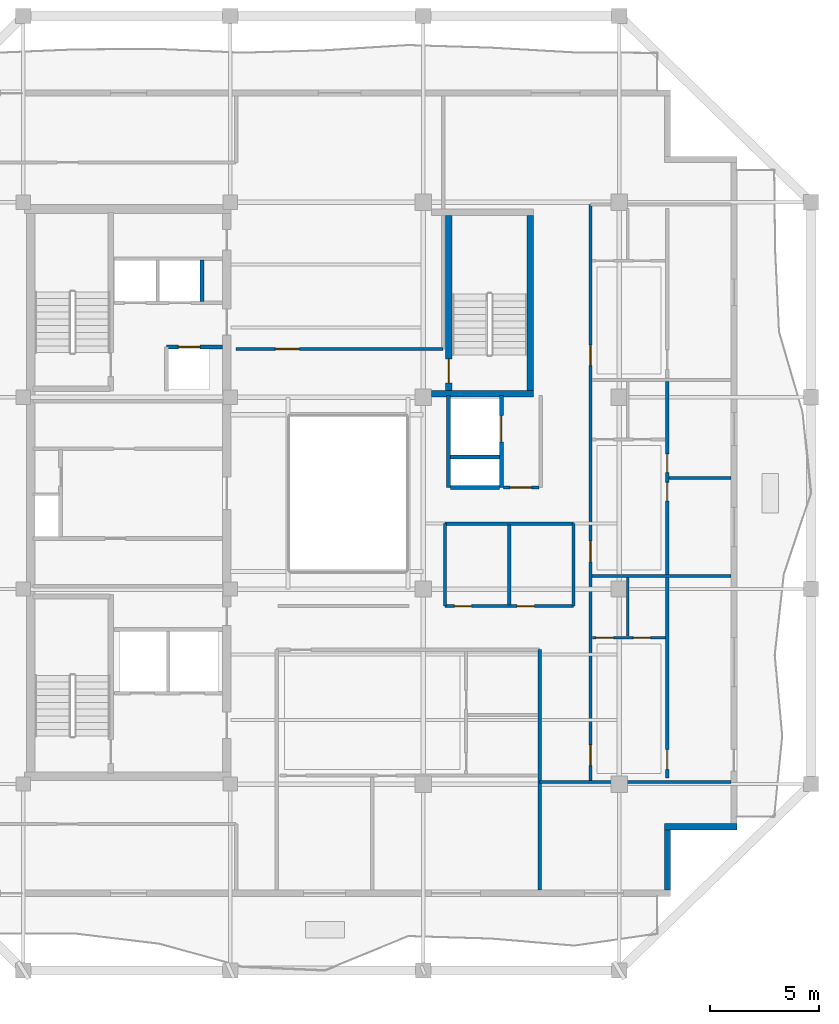
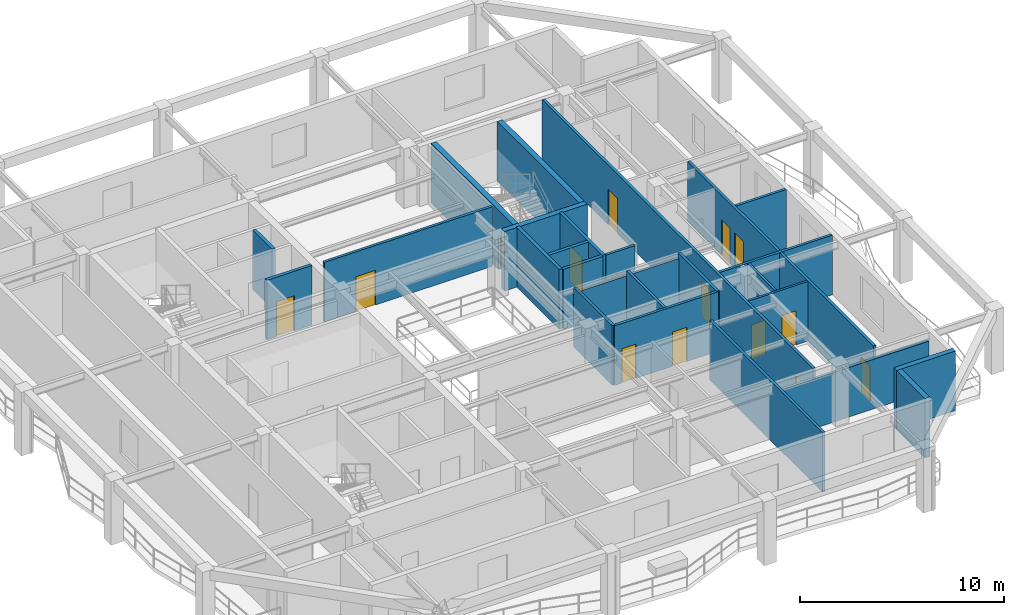
# One storey, part 4 of 10: 27 walls, 15 doors, 15 openings.
"""IFC4 building model written with IfcOpenShell, lengths in metres."""

from ifc_helpers import new_model, si_unit, direction, frame, frame_2d, origin, place, context, subcontext, project, spatial, rectangle, extrude, material, layer, layer_set, type_object, element, fill, save


model = new_model("IFC4")

# Units and contexts
model_context = context("Model", 3, precision=1e-05, world=origin(), true_north=direction((0.0, 1.0)))
body_context = subcontext(model_context, "Body", "Model", "MODEL_VIEW")
ifc_project = project(units=[si_unit("LENGTHUNIT", "METRE"), si_unit("AREAUNIT", "SQUARE_METRE"), si_unit("VOLUMEUNIT", "CUBIC_METRE"), si_unit("PLANEANGLEUNIT", "RADIAN"), si_unit("MASSUNIT", "GRAM", prefix="KILO")], contexts=[model_context])

# Site, building, storey
site_placement = place(None, origin())
site = spatial("IfcSite", under=ifc_project, at=site_placement, CompositionType="ELEMENT")
building_placement = place(site_placement, origin())
building = spatial("IfcBuilding", under=site, at=building_placement, Name="Kundavana Baori Tower", CompositionType="ELEMENT")
storey_placement = place(building_placement, frame((0.0, 0.0, 316.300048828125)))
storey = spatial("IfcBuildingStorey", under=building, at=storey_placement, Name="L78", CompositionType="ELEMENT", Elevation=316.300048828125)

# Walls
ifc_material_1 = material(Name="Red-Buff Dholpur Sandstone Cladding on Concrete C40/50", Category="masonry")
ifc_layer_1 = layer(ifc_material_1, 0.280029296875, Name="WL-EXT-SAND-280")
ifc_layer_set_1 = layer_set([ifc_layer_1], Name="Red-Buff Dholpur Sandstone Cladding on Concrete C40/50")
wall_type_1 = type_object("IfcWallType", Name="WL-EXT-SAND-280", PredefinedType="STANDARD", material=ifc_layer_set_1)
wall_1_placement = place(storey_placement, frame((45.010009765625, 10.3798828125, 0.0), z_axis=(0.0, 0.0, 1.0), x_axis=(0.0, 1.0, 0.0)))
element("IfcWall", 1, at=wall_1_placement, inside=storey, type_object=wall_type_1, Name="L78 Exterior Insulated Facade Wall 02", PredefinedType="STANDARD", context=body_context, shape_type="SweptSolid", body=[
    extrude(rectangle(XDim=2.77001953125, YDim=0.280029296875, at=frame_2d((1.385009765625, 0.0))), origin(), (0.0, 0.0, 1.0), 3.56005859375),
])
wall_2_placement = place(storey_placement, frame((44.8701171875, 13.2900390625, 0.0), z_axis=(0.0, 0.0, 1.0), x_axis=(1.0, 0.0, 0.0)))
element("IfcWall", 2, at=wall_2_placement, inside=storey, type_object=wall_type_1, Name="L78 Exterior Insulated Facade Wall 03", PredefinedType="STANDARD", context=body_context, shape_type="SweptSolid", body=[
    extrude(rectangle(XDim=3.329833984375, YDim=0.280029296875, at=frame_2d((1.6650390625, 0.0))), origin(), (0.0, 0.0, 1.0), 3.56005859375),
])

# Wall, opening, door
ifc_material_2 = material(Name="Fire-Rated Gypsum Drywall on Galvanised Steel Studs", Category="steel")
ifc_layer_2 = layer(ifc_material_2, 0.14990234375, Name="WL-PART-150")
ifc_layer_set_2 = layer_set([ifc_layer_2], Name="Fire-Rated Gypsum Drywall on Galvanised Steel Studs")
wall_type_2 = type_object("IfcWallType", Name="WL-PART-150", PredefinedType="PARTITIONING", material=ifc_layer_set_2)
wall_3_placement = place(storey_placement, frame((37.47998046875, 28.860107421875, 0.0), z_axis=(0.0, 0.0, 1.0), x_axis=(1.0, 0.0, 0.0)))
wall_3 = element("IfcWall", 3, at=wall_3_placement, inside=storey, type_object=wall_type_2, Name="WL-L78-SVLOB-S", PredefinedType="PARTITIONING", context=body_context, shape_type="SweptSolid", body=[
    extrude(rectangle(XDim=1.64013671875, YDim=0.14990234375, at=frame_2d((0.820068359375, 0.0))), origin(), (0.0, 0.0, 1.0), 3.56005859375),
])
opening_1_placement = place(wall_3_placement, frame((0.300048828125, 0.0, 0.0)))
opening_1 = element("IfcOpeningElement", 4, at=opening_1_placement, cuts=wall_3, Name="Opening FD-100", PredefinedType="OPENING", context=body_context, shape_type="SweptSolid", body=[
    extrude(rectangle(XDim=1.0, YDim=2.10009765625, at=frame_2d((0.5, 1.050048828125))), frame((0.0, 0.0849609375, 0.0), z_axis=(0.0, -1.0, 0.0), x_axis=(1.0, 0.0, 0.0)), (0.0, 0.0, 1.0), 0.169921875),
])
ifc_material_3 = material(Name="Engineered Teak Fire-Rated Timber Door Leaf", Category="wood")
door_type_1 = type_object("IfcDoorType", Name="DR-FD60-1000", OperationType="NOTDEFINED", PredefinedType="DOOR", material=ifc_material_3)
door_1_placement = place(opening_1_placement, origin())
door_1 = element("IfcDoor", 5, at=door_1_placement, inside=storey, type_object=door_type_1, Name="DR-L78-SVLOB-OUT", OperationType="SINGLE_SWING_LEFT", OverallHeight=2.10009765625, OverallWidth=1.0, PredefinedType="DOOR", context=body_context, shape_type="SweptSolid", body=[
    extrude(rectangle(XDim=1.0, YDim=2.10009765625, at=frame_2d((0.5, 1.050048828125))), frame((0.0, 0.02490234375, 0.0), z_axis=(0.0, -1.0, 0.0), x_axis=(1.0, 0.0, 0.0)), (0.0, 0.0, 1.0), 0.050048828125),
])
fill(opening_1, door_1)

wall_4_placement = place(storey_placement, frame((25.219970703125, 35.219970703125, 0.0), z_axis=(0.0, 0.0, 1.0), x_axis=(1.0, 0.0, 0.0)))
wall_4 = element("IfcWall", 6, at=wall_4_placement, inside=storey, type_object=wall_type_2, Name="WL-L78-RN", PredefinedType="PARTITIONING", context=body_context, shape_type="SweptSolid", body=[
    extrude(rectangle(XDim=9.5, YDim=0.14990234375, at=frame_2d((4.75, 0.0))), origin(), (0.0, 0.0, 1.0), 3.56005859375),
])
opening_2_placement = place(wall_4_placement, frame((1.800048828125, 0.0, 0.0)))
opening_2 = element("IfcOpeningElement", 7, at=opening_2_placement, cuts=wall_4, Name="Opening ID-110", PredefinedType="OPENING", context=body_context, shape_type="SweptSolid", body=[
    extrude(rectangle(XDim=1.10009765625, YDim=2.080078125, at=frame_2d((0.550048828125, 1.0400390625))), frame((0.0, 0.0849609375, 0.0), z_axis=(0.0, -1.0, 0.0), x_axis=(1.0, 0.0, 0.0)), (0.0, 0.0, 1.0), 0.169921875),
])
ifc_material_4 = material(Name="Engineered Teak Solid-Core Timber Veneer", Category="wood")
door_type_2 = type_object("IfcDoorType", Name="DR-INT-1100", OperationType="NOTDEFINED", PredefinedType="DOOR", material=ifc_material_4)
door_2_placement = place(opening_2_placement, origin())
door_2 = element("IfcDoor", 8, at=door_2_placement, inside=storey, type_object=door_type_2, Name="DR-L78-RLNGN", OperationType="SINGLE_SWING_RIGHT", OverallHeight=2.080078125, OverallWidth=1.10009765625, PredefinedType="DOOR", context=body_context, shape_type="SweptSolid", body=[
    extrude(rectangle(XDim=1.10009765625, YDim=2.080078125, at=frame_2d((0.550048828125, 1.0400390625))), frame((0.0, 0.02490234375, 0.0), z_axis=(0.0, -1.0, 0.0), x_axis=(1.0, 0.0, 0.0)), (0.0, 0.0, 1.0), 0.050048828125),
])
fill(opening_2, door_2)

# Wall
wall_5_placement = place(storey_placement, frame((39.14990234375, 10.3798828125, 0.0), z_axis=(0.0, 0.0, 1.0), x_axis=(0.0, 1.0, 0.0)))
element("IfcWall", 9, at=wall_5_placement, inside=storey, type_object=wall_type_2, Name="WL-L78-RSEND", PredefinedType="PARTITIONING", context=body_context, shape_type="SweptSolid", body=[
    extrude(rectangle(XDim=11.0400390625, YDim=0.14990234375, at=frame_2d((5.52001953125, 0.0))), origin(), (0.0, 0.0, 1.0), 3.56005859375),
])

# Wall, openings, doors
wall_6_placement = place(storey_placement, frame((41.47998046875, 15.35009765625, 0.0), z_axis=(0.0, 0.0, 1.0), x_axis=(0.0, 1.0, 0.0)))
wall_6 = element("IfcWall", 10, at=wall_6_placement, inside=storey, type_object=wall_type_2, Name="WL-L78-RE", PredefinedType="PARTITIONING", context=body_context, shape_type="SweptSolid", body=[
    extrude(rectangle(XDim=26.5, YDim=0.14990234375, at=frame_2d((13.25, 0.0))), origin(), (0.0, 0.0, 1.0), 3.56005859375),
])
opening_3_placement = place(wall_6_placement, frame((0.75, 0.0, 0.0)))
opening_3 = element("IfcOpeningElement", 11, at=opening_3_placement, cuts=wall_6, Name="Opening FD-095", PredefinedType="OPENING", context=body_context, shape_type="SweptSolid", body=[
    extrude(rectangle(XDim=0.949951171875, YDim=2.10009765625, at=frame_2d((0.47509765625, 1.050048828125))), frame((0.0, 0.0849609375, 0.0), z_axis=(0.0, -1.0, 0.0), x_axis=(1.0, 0.0, 0.0)), (0.0, 0.0, 1.0), 0.169921875),
])
opening_4_placement = place(wall_6_placement, frame((10.10009765625, 0.0, 0.0)))
opening_4 = element("IfcOpeningElement", 12, at=opening_4_placement, cuts=wall_6, Name="Opening FD-095", PredefinedType="OPENING", context=body_context, shape_type="SweptSolid", body=[
    extrude(rectangle(XDim=0.949951171875, YDim=2.10009765625, at=frame_2d((0.47509765625, 1.050048828125))), frame((0.0, 0.0849609375, 0.0), z_axis=(0.0, -1.0, 0.0), x_axis=(1.0, 0.0, 0.0)), (0.0, 0.0, 1.0), 0.169921875),
])
opening_5_placement = place(wall_6_placement, frame((19.10009765625, 0.0, 0.0)))
opening_5 = element("IfcOpeningElement", 13, at=opening_5_placement, cuts=wall_6, Name="Opening FD-095", PredefinedType="OPENING", context=body_context, shape_type="SweptSolid", body=[
    extrude(rectangle(XDim=0.949951171875, YDim=2.10009765625, at=frame_2d((0.47509765625, 1.050048828125))), frame((0.0, 0.0849609375, 0.0), z_axis=(0.0, -1.0, 0.0), x_axis=(1.0, 0.0, 0.0)), (0.0, 0.0, 1.0), 0.169921875),
])
ifc_material_5 = material(Name="Engineered Teak Fire-Rated Timber Door Leaf", Category="wood")
door_type_3 = type_object("IfcDoorType", Name="DR-FD60-950", OperationType="NOTDEFINED", PredefinedType="DOOR", material=ifc_material_5)
door_3_placement = place(opening_3_placement, origin())
door_3 = element("IfcDoor", 14, at=door_3_placement, inside=storey, type_object=door_type_3, Name="DR-L78-E1-ENT", OperationType="SINGLE_SWING_LEFT", OverallHeight=2.10009765625, OverallWidth=0.949951171875, PredefinedType="DOOR", context=body_context, shape_type="SweptSolid", body=[
    extrude(rectangle(XDim=0.949951171875, YDim=2.10009765625, at=frame_2d((0.47509765625, 1.050048828125))), frame((0.0, 0.02490234375, 0.0), z_axis=(0.0, -1.0, 0.0), x_axis=(1.0, 0.0, 0.0)), (0.0, 0.0, 1.0), 0.050048828125),
])
fill(opening_3, door_3)
door_4_placement = place(opening_4_placement, origin())
door_4 = element("IfcDoor", 15, at=door_4_placement, inside=storey, type_object=door_type_3, Name="DR-L78-E2-ENT", OperationType="SINGLE_SWING_LEFT", OverallHeight=2.10009765625, OverallWidth=0.949951171875, PredefinedType="DOOR", context=body_context, shape_type="SweptSolid", body=[
    extrude(rectangle(XDim=0.949951171875, YDim=2.10009765625, at=frame_2d((0.47509765625, 1.050048828125))), frame((0.0, 0.02490234375, 0.0), z_axis=(0.0, -1.0, 0.0), x_axis=(1.0, 0.0, 0.0)), (0.0, 0.0, 1.0), 0.050048828125),
])
fill(opening_4, door_4)
door_5_placement = place(opening_5_placement, origin())
door_5 = element("IfcDoor", 16, at=door_5_placement, inside=storey, type_object=door_type_3, Name="DR-L78-E3-ENT", OperationType="SINGLE_SWING_LEFT", OverallHeight=2.10009765625, OverallWidth=0.949951171875, PredefinedType="DOOR", context=body_context, shape_type="SweptSolid", body=[
    extrude(rectangle(XDim=0.949951171875, YDim=2.10009765625, at=frame_2d((0.47509765625, 1.050048828125))), frame((0.0, 0.02490234375, 0.0), z_axis=(0.0, -1.0, 0.0), x_axis=(1.0, 0.0, 0.0)), (0.0, 0.0, 1.0), 0.050048828125),
])
fill(opening_5, door_5)

# Wall
wall_7_placement = place(storey_placement, frame((39.14990234375, 15.35009765625, 0.0), z_axis=(0.0, 0.0, 1.0), x_axis=(1.0, 0.0, 0.0)))
element("IfcWall", 17, at=wall_7_placement, inside=storey, type_object=wall_type_2, Name="WL-L78-RES", PredefinedType="PARTITIONING", context=body_context, shape_type="SweptSolid", body=[
    extrude(rectangle(XDim=8.77001953125, YDim=0.14990234375, at=frame_2d((4.385009765625, 0.0))), origin(), (0.0, 0.0, 1.0), 2.9599609375),
])

# Wall, opening, door
wall_8_placement = place(storey_placement, frame((45.00390625, 15.530029296875, 0.0), z_axis=(0.0, 0.0, 1.0), x_axis=(0.0, 1.0, 0.0)))
wall_8 = element("IfcWall", 18, at=wall_8_placement, inside=storey, type_object=wall_type_2, Name="WL-L78-E1-VT", PredefinedType="PARTITIONING", context=body_context, shape_type="SweptSolid", body=[
    extrude(rectangle(XDim=9.18994140625, YDim=0.14990234375, at=frame_2d((4.594970703125, 0.0))), origin(), (0.0, 0.0, 1.0), 3.56005859375),
])
opening_6_placement = place(wall_8_placement, frame((0.39990234375, 0.0, 0.0)))
opening_6 = element("IfcOpeningElement", 19, at=opening_6_placement, cuts=wall_8, Name="Opening ID-090", PredefinedType="OPENING", context=body_context, shape_type="SweptSolid", body=[
    extrude(rectangle(XDim=0.89990234375, YDim=2.080078125, at=frame_2d((0.449951171875, 1.0400390625))), frame((0.0, 0.0849609375, 0.0), z_axis=(0.0, -1.0, 0.0), x_axis=(1.0, 0.0, 0.0)), (0.0, 0.0, 1.0), 0.169921875),
])
ifc_material_6 = material(Name="Engineered Teak Solid-Core Timber Veneer", Category="wood")
door_type_4 = type_object("IfcDoorType", Name="DR-INT-900", OperationType="NOTDEFINED", PredefinedType="DOOR", material=ifc_material_6)
door_6_placement = place(opening_6_placement, origin())
door_6 = element("IfcDoor", 20, at=door_6_placement, inside=storey, type_object=door_type_4, Name="DR-L78-E1-B1", OperationType="SINGLE_SWING_LEFT", OverallHeight=2.080078125, OverallWidth=0.89990234375, PredefinedType="DOOR", context=body_context, shape_type="SweptSolid", body=[
    extrude(rectangle(XDim=0.89990234375, YDim=2.080078125, at=frame_2d((0.449951171875, 1.0400390625))), frame((0.0, 0.02490234375, 0.0), z_axis=(0.0, -1.0, 0.0), x_axis=(1.0, 0.0, 0.0)), (0.0, 0.0, 1.0), 0.050048828125),
])
fill(opening_6, door_6)

# Wall
wall_9_placement = place(storey_placement, frame((41.56005859375, 24.800048828125, 0.0), z_axis=(0.0, 0.0, 1.0), x_axis=(1.0, 0.0, 0.0)))
element("IfcWall", 21, at=wall_9_placement, inside=storey, type_object=wall_type_2, Name="WL-L78-RED1", PredefinedType="PARTITIONING", context=body_context, shape_type="SweptSolid", body=[
    extrude(rectangle(XDim=6.35986328125, YDim=0.14990234375, at=frame_2d((3.179931640625, 0.0))), origin(), (0.0, 0.0, 1.0), 3.56005859375),
])

# Wall, openings, doors
wall_10_placement = place(storey_placement, frame((45.00390625, 24.8798828125, 0.0), z_axis=(0.0, 0.0, 1.0), x_axis=(0.0, 1.0, 0.0)))
wall_10 = element("IfcWall", 22, at=wall_10_placement, inside=storey, type_object=wall_type_2, Name="WL-L78-E2-VT", PredefinedType="PARTITIONING", context=body_context, shape_type="SweptSolid", body=[
    extrude(rectangle(XDim=8.840087890625, YDim=0.14990234375, at=frame_2d((4.419921875, 0.0))), origin(), (0.0, 0.0, 1.0), 3.56005859375),
])
opening_7_placement = place(wall_10_placement, frame((3.3701171875, 0.0, 0.0)))
opening_7 = element("IfcOpeningElement", 23, at=opening_7_placement, cuts=wall_10, Name="Opening ID-085", PredefinedType="OPENING", context=body_context, shape_type="SweptSolid", body=[
    extrude(rectangle(XDim=0.85009765625, YDim=2.080078125, at=frame_2d((0.425048828125, 1.0400390625))), frame((0.0, 0.0849609375, 0.0), z_axis=(0.0, -1.0, 0.0), x_axis=(1.0, 0.0, 0.0)), (0.0, 0.0, 1.0), 0.169921875),
])
opening_8_placement = place(wall_10_placement, frame((4.669921875, 0.0, 0.0)))
opening_8 = element("IfcOpeningElement", 24, at=opening_8_placement, cuts=wall_10, Name="Opening ID-085", PredefinedType="OPENING", context=body_context, shape_type="SweptSolid", body=[
    extrude(rectangle(XDim=0.85009765625, YDim=2.080078125, at=frame_2d((0.425048828125, 1.0400390625))), frame((0.0, 0.0849609375, 0.0), z_axis=(0.0, -1.0, 0.0), x_axis=(1.0, 0.0, 0.0)), (0.0, 0.0, 1.0), 0.169921875),
])
ifc_material_7 = material(Name="Engineered Teak Solid-Core Timber Veneer", Category="wood")
door_type_5 = type_object("IfcDoorType", Name="DR-INT-850", OperationType="NOTDEFINED", PredefinedType="DOOR", material=ifc_material_7)
door_7_placement = place(opening_7_placement, origin())
door_7 = element("IfcDoor", 25, at=door_7_placement, inside=storey, type_object=door_type_5, Name="DR-L78-E2-B1", OperationType="SINGLE_SWING_LEFT", OverallHeight=2.080078125, OverallWidth=0.85009765625, PredefinedType="DOOR", context=body_context, shape_type="SweptSolid", body=[
    extrude(rectangle(XDim=0.85009765625, YDim=2.080078125, at=frame_2d((0.425048828125, 1.0400390625))), frame((0.0, 0.02490234375, 0.0), z_axis=(0.0, -1.0, 0.0), x_axis=(1.0, 0.0, 0.0)), (0.0, 0.0, 1.0), 0.050048828125),
])
fill(opening_7, door_7)
door_8_placement = place(opening_8_placement, origin())
door_8 = element("IfcDoor", 26, at=door_8_placement, inside=storey, type_object=door_type_5, Name="DR-L78-E2-B2", OperationType="SINGLE_SWING_RIGHT", OverallHeight=2.080078125, OverallWidth=0.85009765625, PredefinedType="DOOR", context=body_context, shape_type="SweptSolid", body=[
    extrude(rectangle(XDim=0.85009765625, YDim=2.080078125, at=frame_2d((0.425048828125, 1.0400390625))), frame((0.0, 0.02490234375, 0.0), z_axis=(0.0, -1.0, 0.0), x_axis=(1.0, 0.0, 0.0)), (0.0, 0.0, 1.0), 0.050048828125),
])
fill(opening_8, door_8)

# Wall
wall_11_placement = place(storey_placement, frame((45.083984375, 29.300048828125, 0.0), z_axis=(0.0, 0.0, 1.0), x_axis=(1.0, 0.0, 0.0)))
element("IfcWall", 27, at=wall_11_placement, inside=storey, type_object=wall_type_2, Name="WL-L78-E2-BDH", PredefinedType="PARTITIONING", context=body_context, shape_type="SweptSolid", body=[
    extrude(rectangle(XDim=2.8359375, YDim=0.14990234375, at=frame_2d((1.41796875, 0.0))), origin(), (0.0, 0.0, 1.0), 3.56005859375),
])

# Wall, openings, doors
wall_12_placement = place(storey_placement, frame((34.800048828125, 23.419921875, 0.0), z_axis=(0.0, 0.0, 1.0), x_axis=(1.0, 0.0, 0.0)))
wall_12 = element("IfcWall", 28, at=wall_12_placement, inside=storey, type_object=wall_type_2, Name="WL-L78-ALS", PredefinedType="PARTITIONING", context=body_context, shape_type="SweptSolid", body=[
    extrude(rectangle(XDim=5.89990234375, YDim=0.14990234375, at=frame_2d((2.949951171875, 0.0))), origin(), (0.0, 0.0, 1.0), 3.56005859375),
])
opening_9_placement = place(wall_12_placement, frame((0.429931640625, 0.0, 0.0)))
opening_9 = element("IfcOpeningElement", 29, at=opening_9_placement, cuts=wall_12, Name="Opening WD-080", PredefinedType="OPENING", context=body_context, shape_type="SweptSolid", body=[
    extrude(rectangle(XDim=0.800048828125, YDim=2.050048828125, at=frame_2d((0.39990234375, 1.02490234375))), frame((0.0, 0.0849609375, 0.0), z_axis=(0.0, -1.0, 0.0), x_axis=(1.0, 0.0, 0.0)), (0.0, 0.0, 1.0), 0.169921875),
])
opening_10_placement = place(wall_12_placement, frame((3.300048828125, 0.0, 0.0)))
opening_10 = element("IfcOpeningElement", 30, at=opening_10_placement, cuts=wall_12, Name="Opening WD-080", PredefinedType="OPENING", context=body_context, shape_type="SweptSolid", body=[
    extrude(rectangle(XDim=0.800048828125, YDim=2.050048828125, at=frame_2d((0.39990234375, 1.02490234375))), frame((0.0, 0.0849609375, 0.0), z_axis=(0.0, -1.0, 0.0), x_axis=(1.0, 0.0, 0.0)), (0.0, 0.0, 1.0), 0.169921875),
])
ifc_material_8 = material(Name="Engineered Teak Solid-Core Timber Veneer", Category="wood")
door_type_6 = type_object("IfcDoorType", Name="DR-WET-800", OperationType="NOTDEFINED", PredefinedType="DOOR", material=ifc_material_8)
door_9_placement = place(opening_9_placement, origin())
door_9 = element("IfcDoor", 31, at=door_9_placement, inside=storey, type_object=door_type_6, Name="DR-L78-RALC1", OperationType="SINGLE_SWING_LEFT", OverallHeight=2.050048828125, OverallWidth=0.800048828125, PredefinedType="DOOR", context=body_context, shape_type="SweptSolid", body=[
    extrude(rectangle(XDim=0.800048828125, YDim=2.050048828125, at=frame_2d((0.39990234375, 1.02490234375))), frame((0.0, 0.02490234375, 0.0), z_axis=(0.0, -1.0, 0.0), x_axis=(1.0, 0.0, 0.0)), (0.0, 0.0, 1.0), 0.050048828125),
])
fill(opening_9, door_9)
door_10_placement = place(opening_10_placement, origin())
door_10 = element("IfcDoor", 32, at=door_10_placement, inside=storey, type_object=door_type_6, Name="DR-L78-RALC2", OperationType="SINGLE_SWING_LEFT", OverallHeight=2.050048828125, OverallWidth=0.800048828125, PredefinedType="DOOR", context=body_context, shape_type="SweptSolid", body=[
    extrude(rectangle(XDim=0.800048828125, YDim=2.050048828125, at=frame_2d((0.39990234375, 1.02490234375))), frame((0.0, 0.02490234375, 0.0), z_axis=(0.0, -1.0, 0.0), x_axis=(1.0, 0.0, 0.0)), (0.0, 0.0, 1.0), 0.050048828125),
])
fill(opening_10, door_10)

# Walls
wall_13_placement = place(storey_placement, frame((34.800048828125, 27.199951171875, 0.0), z_axis=(0.0, 0.0, 1.0), x_axis=(1.0, 0.0, 0.0)))
element("IfcWall", 33, at=wall_13_placement, inside=storey, type_object=wall_type_2, Name="WL-L78-ALN", PredefinedType="PARTITIONING", context=body_context, shape_type="SweptSolid", body=[
    extrude(rectangle(XDim=5.89990234375, YDim=0.14990234375, at=frame_2d((2.949951171875, 0.0))), origin(), (0.0, 0.0, 1.0), 3.260009765625),
])
for number, where, z_axis, x_axis, name in (
    (34, (34.800048828125, 23.419921875, 0.0), (0.0, 0.0, 1.0), (0.0, 1.0, 0.0), "WL-L78-ALW"),
    (35, (40.699951171875, 23.419921875, 0.0), (0.0, 0.0, 1.0), (0.0, 1.0, 0.0), "WL-L78-ALE"),
):
    element("IfcWall", number, at=place(storey_placement, frame(where, z_axis=z_axis, x_axis=x_axis)), inside=storey, type_object=wall_type_2, Name=name, PredefinedType="PARTITIONING", context=body_context, shape_type="SweptSolid", body=[
        extrude(rectangle(XDim=3.780029296875, YDim=0.14990234375, at=frame_2d((1.89013671875, 0.0))), origin(), (0.0, 0.0, 1.0), 3.56005859375),
    ])
wall_14_placement = place(storey_placement, frame((37.75, 23.47998046875, 0.0), z_axis=(0.0, 0.0, 1.0), x_axis=(0.0, 1.0, 0.0)))
element("IfcWall", 36, at=wall_14_placement, inside=storey, type_object=wall_type_2, Name="WL-L78-ALD1", PredefinedType="PARTITIONING", context=body_context, shape_type="SweptSolid", body=[
    extrude(rectangle(XDim=3.659912109375, YDim=0.14990234375, at=frame_2d((1.830078125, 0.0))), origin(), (0.0, 0.0, 1.0), 3.56005859375),
])

# Wall, opening, door
ifc_material_9 = material(Name="Autoclaved Aerated Concrete Blockwork Masonry", Category="masonry")
ifc_layer_3 = layer(ifc_material_9, 0.179931640625, Name="WL-SHAFT-180")
ifc_layer_set_3 = layer_set([ifc_layer_3], Name="Autoclaved Aerated Concrete Blockwork Masonry")
wall_type_3 = type_object("IfcWallType", Name="WL-SHAFT-180", PredefinedType="SOLIDWALL", material=ifc_layer_set_3)
wall_15_placement = place(storey_placement, frame((22.02001953125, 35.31005859375, 0.0), z_axis=(0.0, 0.0, 1.0), x_axis=(1.0, 0.0, 0.0)))
wall_15 = element("IfcWall", 37, at=wall_15_placement, inside=storey, type_object=wall_type_3, Name="WL-L78-LP11-N", PredefinedType="SOLIDWALL", context=body_context, shape_type="SweptSolid", body=[
    extrude(rectangle(XDim=2.56005859375, YDim=0.179931640625, at=frame_2d((1.280029296875, 0.0))), origin(), (0.0, 0.0, 1.0), 3.56005859375),
])
opening_11_placement = place(wall_15_placement, frame((0.550048828125, 0.0, 0.0)))
opening_11 = element("IfcOpeningElement", 38, at=opening_11_placement, cuts=wall_15, Name="Opening LD-100", PredefinedType="OPENING", context=body_context, shape_type="SweptSolid", body=[
    extrude(rectangle(XDim=1.0, YDim=2.10009765625, at=frame_2d((0.5, 1.050048828125))), frame((0.0, 0.10009765625, 0.0), z_axis=(0.0, -1.0, 0.0), x_axis=(1.0, 0.0, 0.0)), (0.0, 0.0, 1.0), 0.199951171875),
])
ifc_material_10 = material(Name="Galvanised Steel Fire-Rated Door Leaf", Category="steel")
door_type_7 = type_object("IfcDoorType", Name="DR-SLIDE-LD1000", OperationType="NOTDEFINED", PredefinedType="DOOR", material=ifc_material_10)
door_11_placement = place(opening_11_placement, origin())
door_11 = element("IfcDoor", 39, at=door_11_placement, inside=storey, type_object=door_type_7, Name="DR-L78-LD-LP11", OperationType="DOUBLE_DOOR_SLIDING", OverallHeight=2.10009765625, OverallWidth=1.0, PredefinedType="DOOR", context=body_context, shape_type="SweptSolid", body=[
    extrude(rectangle(XDim=1.0, YDim=2.10009765625, at=frame_2d((0.5, 1.050048828125))), frame((0.0, 0.02490234375, 0.0), z_axis=(0.0, -1.0, 0.0), x_axis=(1.0, 0.0, 0.0)), (0.0, 0.0, 1.0), 0.050048828125),
])
fill(opening_11, door_11)

# Walls
wall_16_placement = place(storey_placement, frame((23.659912109375, 37.39990234375, 0.0), z_axis=(0.0, 0.0, 1.0), x_axis=(0.0, 1.0, 0.0)))
element("IfcWall", 40, at=wall_16_placement, inside=storey, type_object=wall_type_3, Name="WL-L78-HR-DIV2", PredefinedType="SOLIDWALL", context=body_context, shape_type="SweptSolid", body=[
    extrude(rectangle(XDim=1.900146484375, YDim=0.179931640625, at=frame_2d((0.9501953125, 0.0))), origin(), (0.0, 0.0, 1.0), 3.56005859375),
])
wall_17_placement = place(storey_placement, frame((34.9599609375, 28.860107421875, 0.0), z_axis=(0.0, 0.0, 1.0), x_axis=(0.0, 1.0, 0.0)))
element("IfcWall", 41, at=wall_17_placement, inside=storey, type_object=wall_type_3, Name="WL-L78-SVL-W", PredefinedType="SOLIDWALL", context=body_context, shape_type="SweptSolid", body=[
    extrude(rectangle(XDim=4.219970703125, YDim=0.179931640625, at=frame_2d((2.10986328125, 0.0))), origin(), (0.0, 0.0, 1.0), 3.56005859375),
])

# Wall, opening, door
wall_18_placement = place(storey_placement, frame((37.389892578125, 28.860107421875, 0.0), z_axis=(0.0, 0.0, 1.0), x_axis=(0.0, 1.0, 0.0)))
wall_18 = element("IfcWall", 42, at=wall_18_placement, inside=storey, type_object=wall_type_3, Name="WL-L78-SVL-E", PredefinedType="SOLIDWALL", context=body_context, shape_type="SweptSolid", body=[
    extrude(rectangle(XDim=4.219970703125, YDim=0.179931640625, at=frame_2d((2.10986328125, 0.0))), origin(), (0.0, 0.0, 1.0), 3.56005859375),
])
opening_12_placement = place(wall_18_placement, frame((2.10009765625, 0.0, 0.0)))
opening_12 = element("IfcOpeningElement", 43, at=opening_12_placement, cuts=wall_18, Name="Opening LD-120", PredefinedType="OPENING", context=body_context, shape_type="SweptSolid", body=[
    extrude(rectangle(XDim=1.199951171875, YDim=2.1201171875, at=frame_2d((0.60009765625, 1.06005859375))), frame((0.0, 0.10009765625, 0.0), z_axis=(0.0, -1.0, 0.0), x_axis=(1.0, 0.0, 0.0)), (0.0, 0.0, 1.0), 0.199951171875),
])
ifc_material_11 = material(Name="Galvanised Steel Fire-Rated Door Leaf", Category="steel")
door_type_8 = type_object("IfcDoorType", Name="DR-SLIDE-LD1200", OperationType="NOTDEFINED", PredefinedType="DOOR", material=ifc_material_11)
door_12_placement = place(opening_12_placement, frame((1.199951171875, 0.0, 0.0), z_axis=(0.0, 0.0, 1.0), x_axis=(-1.0, 0.0, 0.0)))
door_12 = element("IfcDoor", 44, at=door_12_placement, inside=storey, type_object=door_type_8, Name="DR-L78-LD-SVL1", OperationType="DOUBLE_DOOR_SLIDING", OverallHeight=2.1201171875, OverallWidth=1.199951171875, PredefinedType="DOOR", context=body_context, shape_type="SweptSolid", body=[
    extrude(rectangle(XDim=1.199951171875, YDim=2.1201171875, at=frame_2d((0.60009765625, 1.06005859375))), frame((0.0, 0.02490234375, 0.0), z_axis=(0.0, -1.0, 0.0), x_axis=(1.0, 0.0, 0.0)), (0.0, 0.0, 1.0), 0.050048828125),
])
fill(opening_12, door_12)

# Walls
for number, where, z_axis, x_axis, name in (
    (45, (35.050048828125, 28.860107421875, 0.0), (0.0, 0.0, 1.0), (1.0, 0.0, 0.0), "WL-L78-SVL-S"),
    (46, (35.050048828125, 30.27001953125, 0.0), (0.0, 0.0, 1.0), (1.0, 0.0, 0.0), "WL-L78-SVL-M"),
):
    element("IfcWall", number, at=place(storey_placement, frame(where, z_axis=z_axis, x_axis=x_axis)), inside=storey, type_object=wall_type_3, Name=name, PredefinedType="SOLIDWALL", context=body_context, shape_type="SweptSolid", body=[
        extrude(rectangle(XDim=2.25, YDim=0.179931640625, at=frame_2d((1.125, 0.0))), origin(), (0.0, 0.0, 1.0), 3.56005859375),
    ])
ifc_material_12 = material(Name="Concrete C50/60", Category="concrete")
ifc_layer_4 = layer(ifc_material_12, 0.300048828125, Name="WL-ST3-300")
ifc_layer_set_4 = layer_set([ifc_layer_4], Name="Concrete C50/60")
wall_type_4 = type_object("IfcWallType", Name="WL-ST3-300", PredefinedType="SHEAR", material=ifc_layer_set_4)
wall_19_placement = place(storey_placement, frame((34.175048828125, 33.159912109375, 0.0), z_axis=(0.0, 0.0, 1.0), x_axis=(1.0, 0.0, 0.0)))
element("IfcWall", 47, at=wall_19_placement, inside=storey, type_object=wall_type_4, Name="L78 Stair ST3 South Shear Wall", PredefinedType="SHEAR", context=body_context, shape_type="SweptSolid", body=[
    extrude(rectangle(XDim=4.695068359375, YDim=0.300048828125, at=frame_2d((2.34765625, 0.0))), origin(), (0.0, 0.0, 1.0), 3.56005859375),
])

# Wall, opening, door
wall_20_placement = place(storey_placement, frame((34.97998046875, 33.31005859375, 0.0), z_axis=(0.0, 0.0, 1.0), x_axis=(0.0, 1.0, 0.0)))
wall_20 = element("IfcWall", 48, at=wall_20_placement, inside=storey, type_object=wall_type_4, Name="L78 Stair ST3 West Shear Wall", PredefinedType="SHEAR", context=body_context, shape_type="SweptSolid", body=[
    extrude(rectangle(XDim=8.030029296875, YDim=0.300048828125, at=frame_2d((4.01513671875, 0.0))), origin(), (0.0, 0.0, 1.0), 3.56005859375),
])
opening_13_placement = place(wall_20_placement, frame((0.35009765625, 0.0, 0.0)))
opening_13 = element("IfcOpeningElement", 49, at=opening_13_placement, cuts=wall_20, Name="Opening FD-110", PredefinedType="OPENING", context=body_context, shape_type="SweptSolid", body=[
    extrude(rectangle(XDim=1.10009765625, YDim=2.10009765625, at=frame_2d((0.550048828125, 1.050048828125))), frame((0.0, 0.16015625, 0.0), z_axis=(0.0, -1.0, 0.0), x_axis=(1.0, 0.0, 0.0)), (0.0, 0.0, 1.0), 0.320068359375),
])
ifc_material_13 = material(Name="Galvanised Steel Fire-Rated Door Leaf", Category="steel")
door_type_9 = type_object("IfcDoorType", Name="DR-FD120-1100", OperationType="NOTDEFINED", PredefinedType="DOOR", material=ifc_material_13)
door_13_placement = place(opening_13_placement, origin())
door_13 = element("IfcDoor", 50, at=door_13_placement, inside=storey, type_object=door_type_9, Name="DR-L78-ST3-W", OperationType="SINGLE_SWING_LEFT", OverallHeight=2.10009765625, OverallWidth=1.10009765625, PredefinedType="DOOR", context=body_context, shape_type="SweptSolid", body=[
    extrude(rectangle(XDim=1.10009765625, YDim=2.10009765625, at=frame_2d((0.550048828125, 1.050048828125))), frame((0.0, 0.02490234375, 0.0), z_axis=(0.0, -1.0, 0.0), x_axis=(1.0, 0.0, 0.0)), (0.0, 0.0, 1.0), 0.050048828125),
])
fill(opening_13, door_13)

# Wall
wall_21_placement = place(storey_placement, frame((38.719970703125, 33.31005859375, 0.0), z_axis=(0.0, 0.0, 1.0), x_axis=(0.0, 1.0, 0.0)))
element("IfcWall", 51, at=wall_21_placement, inside=storey, type_object=wall_type_4, Name="L78 Stair ST3 East Shear Wall", PredefinedType="SHEAR", context=body_context, shape_type="SweptSolid", body=[
    extrude(rectangle(XDim=8.030029296875, YDim=0.300048828125, at=frame_2d((4.01513671875, 0.0))), origin(), (0.0, 0.0, 1.0), 3.56005859375),
])

# Wall, openings, doors
ifc_material_14 = material(Name="Autoclaved Aerated Concrete Blockwork Masonry", Category="masonry")
ifc_layer_5 = layer(ifc_material_14, 0.125, Name="WL-WET-120")
ifc_layer_set_5 = layer_set([ifc_layer_5], Name="Autoclaved Aerated Concrete Blockwork Masonry")
wall_type_5 = type_object("IfcWallType", Name="WL-WET-120", PredefinedType="PLUMBINGWALL", material=ifc_layer_set_5)
wall_22_placement = place(storey_placement, frame((41.580078125, 21.962890625, 0.0), z_axis=(0.0, 0.0, 1.0), x_axis=(1.0, 0.0, 0.0)))
wall_22 = element("IfcWall", 52, at=wall_22_placement, inside=storey, type_object=wall_type_5, Name="WL-L78-E1-KH", PredefinedType="PLUMBINGWALL", context=body_context, shape_type="SweptSolid", body=[
    extrude(rectangle(XDim=3.343994140625, YDim=0.125, at=frame_2d((1.671875, 0.0))), origin(), (0.0, 0.0, 1.0), 3.56005859375),
])
opening_14_placement = place(wall_22_placement, frame((0.159912109375, 0.0, 0.0)))
opening_14 = element("IfcOpeningElement", 53, at=opening_14_placement, cuts=wall_22, Name="Opening WD-080", PredefinedType="OPENING", context=body_context, shape_type="SweptSolid", body=[
    extrude(rectangle(XDim=0.800048828125, YDim=2.050048828125, at=frame_2d((0.39990234375, 1.02490234375))), frame((0.0, 0.072509765625, 0.0), z_axis=(0.0, -1.0, 0.0), x_axis=(1.0, 0.0, 0.0)), (0.0, 0.0, 1.0), 0.14501953125),
])
opening_15_placement = place(wall_22_placement, frame((1.864990234375, 0.0, 0.0)))
opening_15 = element("IfcOpeningElement", 54, at=opening_15_placement, cuts=wall_22, Name="Opening WD-080", PredefinedType="OPENING", context=body_context, shape_type="SweptSolid", body=[
    extrude(rectangle(XDim=0.800048828125, YDim=2.050048828125, at=frame_2d((0.39990234375, 1.02490234375))), frame((0.0, 0.072509765625, 0.0), z_axis=(0.0, -1.0, 0.0), x_axis=(1.0, 0.0, 0.0)), (0.0, 0.0, 1.0), 0.14501953125),
])
door_14_placement = place(opening_14_placement, origin())
door_14 = element("IfcDoor", 55, at=door_14_placement, inside=storey, type_object=door_type_6, Name="DR-L78-E1-BT", OperationType="SINGLE_SWING_LEFT", OverallHeight=2.050048828125, OverallWidth=0.800048828125, PredefinedType="DOOR", context=body_context, shape_type="SweptSolid", body=[
    extrude(rectangle(XDim=0.800048828125, YDim=2.050048828125, at=frame_2d((0.39990234375, 1.02490234375))), frame((0.0, 0.02490234375, 0.0), z_axis=(0.0, -1.0, 0.0), x_axis=(1.0, 0.0, 0.0)), (0.0, 0.0, 1.0), 0.050048828125),
])
fill(opening_14, door_14)
door_15_placement = place(opening_15_placement, origin())
door_15 = element("IfcDoor", 56, at=door_15_placement, inside=storey, type_object=door_type_6, Name="DR-L78-E1-KT", OperationType="SINGLE_SWING_RIGHT", OverallHeight=2.050048828125, OverallWidth=0.800048828125, PredefinedType="DOOR", context=body_context, shape_type="SweptSolid", body=[
    extrude(rectangle(XDim=0.800048828125, YDim=2.050048828125, at=frame_2d((0.39990234375, 1.02490234375))), frame((0.0, 0.02490234375, 0.0), z_axis=(0.0, -1.0, 0.0), x_axis=(1.0, 0.0, 0.0)), (0.0, 0.0, 1.0), 0.050048828125),
])
fill(opening_15, door_15)

# Wall
wall_23_placement = place(storey_placement, frame((43.18505859375, 22.04296875, 0.0), z_axis=(0.0, 0.0, 1.0), x_axis=(0.0, 1.0, 0.0)))
element("IfcWall", 57, at=wall_23_placement, inside=storey, type_object=wall_type_5, Name="WL-L78-E1-BV", PredefinedType="PLUMBINGWALL", context=body_context, shape_type="SweptSolid", body=[
    extrude(rectangle(XDim=2.677001953125, YDim=0.125, at=frame_2d((1.33837890625, 0.0))), origin(), (0.0, 0.0, 1.0), 3.56005859375),
])

save(model, "model.ifc")
